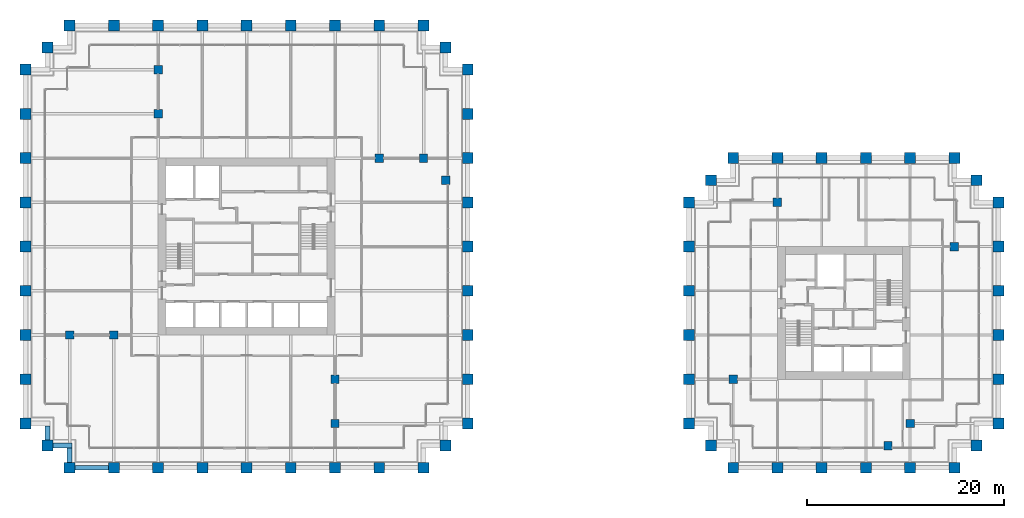
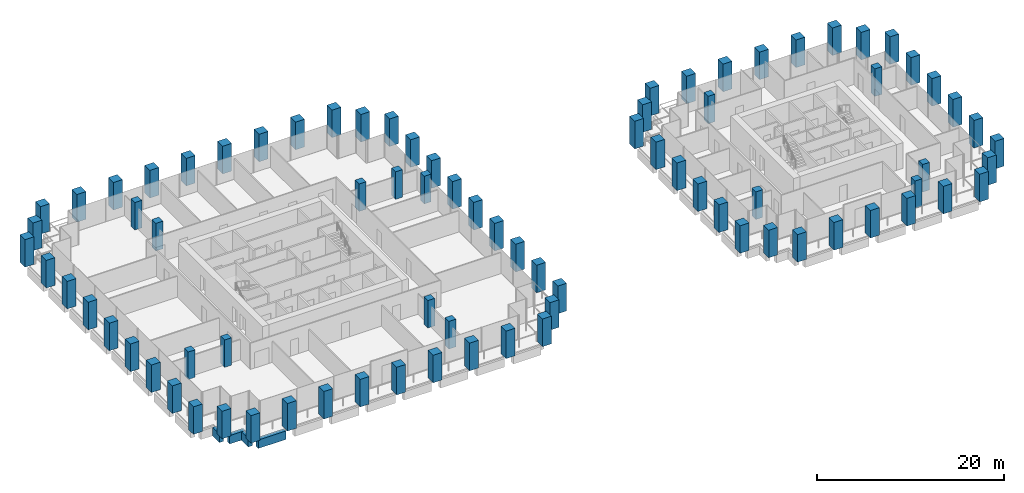
# One storey, part 1 of 56: 82 columns, 4 beams.
"""IFC4 building model written with IfcOpenShell, lengths in metres."""

from ifc_helpers import new_model, si_unit, direction, frame, origin, origin_2d, place, context, subcontext, project, spatial, rectangle, extrude, material, material_profile, profile_set, type_object, element, save


model = new_model("IFC4")

# Units and contexts
model_context = context("Model", 3, precision=1e-05, world=origin(), true_north=direction((0.0, 1.0)))
body_context = subcontext(model_context, "Body", "Model", "MODEL_VIEW")
ifc_project = project(units=[si_unit("LENGTHUNIT", "METRE"), si_unit("AREAUNIT", "SQUARE_METRE"), si_unit("VOLUMEUNIT", "CUBIC_METRE"), si_unit("PLANEANGLEUNIT", "RADIAN"), si_unit("MASSUNIT", "GRAM", prefix="KILO")], contexts=[model_context])

# Site, building, storey
site_placement = place(None, origin())
site = spatial("IfcSite", under=ifc_project, at=site_placement, CompositionType="ELEMENT")
building_placement = place(site_placement, origin())
building = spatial("IfcBuilding", under=site, at=building_placement, Name="Altepetl Exchange Towers", CompositionType="ELEMENT")
storey_placement = place(building_placement, frame((0.0, 0.0, 51.0)))
storey = spatial("IfcBuildingStorey", under=building, at=storey_placement, Name="L11", CompositionType="ELEMENT", Elevation=51.0)

# Columns
ifc_material_1 = material(Name="Concrete C70/85", Category="concrete")
ifc_material_profile_1 = material_profile(ifc_material_1, rectangle(XDim=0.85009765625, YDim=0.85009765625, at=origin_2d()), Name="850 x 850")
ifc_profile_set_1 = profile_set([ifc_material_profile_1], Name="Concrete C70/85")
column_type_1 = type_object("IfcColumnType", Name="Interior column 850", PredefinedType="COLUMN", material=ifc_profile_set_1)
for number, where, name in (
    (1, (31.5, 40.5, 0.0), "col:A:L11:040"),
    (2, (36.0, 40.5, 0.0), "col:A:L11:041"),
    (3, (40.5, 63.0, 0.0), "col:A:L11:042"),
    (4, (40.5, 67.5, 0.0), "col:A:L11:043"),
    (5, (58.5, 31.5, 0.0), "col:A:L11:044"),
    (6, (58.5, 36.0, 0.0), "col:A:L11:045"),
    (7, (63.0, 58.5, 0.0), "col:A:L11:046"),
    (8, (67.5, 58.5, 0.0), "col:A:L11:047"),
    (9, (69.75, 56.25, 0.0), "col:A:L11:048"),
    (10, (99.0, 36.0, 0.0), "col:B:L11:028"),
    (11, (103.5, 54.0, 0.0), "col:B:L11:029"),
    (12, (114.75, 29.25, 0.0), "col:B:L11:030"),
    (13, (117.0, 31.5, 0.0), "col:B:L11:031"),
    (14, (121.5, 49.5, 0.0), "col:B:L11:032"),
):
    element("IfcColumn", number, at=place(storey_placement, frame(where)), inside=storey, type_object=column_type_1, Name=name, PredefinedType="COLUMN", context=body_context, shape_type="SweptSolid", body=[
        extrude(rectangle(XDim=0.85009765625, YDim=0.85009765625, at=origin_2d()), origin(), (0.0, 0.0, 1.0), 3.60009765625),
    ])
ifc_material_2 = material(Name="Concrete C70/85 precast with cantera amarilla facing", Category="concrete")
ifc_material_profile_2 = material_profile(ifc_material_2, rectangle(XDim=1.10009765625, YDim=1.10009765625, at=origin_2d()), Name="1100 x 1100")
ifc_profile_set_2 = profile_set([ifc_material_profile_2], Name="Concrete C70/85 precast with cantera amarilla facing")
column_type_2 = type_object("IfcColumnType", Name="Perimeter column 1100 cantera amarilla", PredefinedType="COLUMN", material=ifc_profile_set_2)
for number, where, name in (
    (15, (58.5, 27.0, 0.0), "col:A:L11:006"),
    (16, (63.0, 27.0, 0.0), "col:A:L11:007"),
    (17, (67.5, 27.0, 0.0), "col:A:L11:008"),
    (18, (69.75, 29.25, 0.0), "col:A:L11:009"),
    (19, (72.0, 31.5, 0.0), "col:A:L11:010"),
    (20, (72.0, 36.0, 0.0), "col:A:L11:011"),
    (21, (72.0, 40.5, 0.0), "col:A:L11:012"),
    (22, (72.0, 45.0, 0.0), "col:A:L11:013"),
    (23, (72.0, 49.5, 0.0), "col:A:L11:014"),
    (24, (72.0, 54.0, 0.0), "col:A:L11:015"),
    (25, (126.0, 49.5, 0.0), "col:B:L11:011"),
    (26, (126.0, 54.0, 0.0), "col:B:L11:012"),
    (27, (123.75, 56.25, 0.0), "col:B:L11:013"),
    (28, (121.5, 58.5, 0.0), "col:B:L11:014"),
    (29, (117.0, 58.5, 0.0), "col:B:L11:015"),
    (30, (112.5, 58.5, 0.0), "col:B:L11:016"),
    (31, (108.0, 58.5, 0.0), "col:B:L11:017"),
):
    element("IfcColumn", number, at=place(storey_placement, frame(where)), inside=storey, type_object=column_type_2, Name=name, PredefinedType="COLUMN", context=body_context, shape_type="SweptSolid", body=[
        extrude(rectangle(XDim=1.10009765625, YDim=1.10009765625, at=origin_2d()), origin(), (0.0, 0.0, 1.0), 3.60009765625),
    ])
ifc_material_3 = material(Name="Concrete C70/85 precast with cantera blanca facing", Category="concrete")
ifc_material_profile_3 = material_profile(ifc_material_3, rectangle(XDim=1.10009765625, YDim=1.10009765625, at=origin_2d()), Name="1100 x 1100")
ifc_profile_set_3 = profile_set([ifc_material_profile_3], Name="Concrete C70/85 precast with cantera blanca facing")
column_type_3 = type_object("IfcColumnType", Name="Perimeter column 1100 cantera blanca", PredefinedType="COLUMN", material=ifc_profile_set_3)
for number, where, name in (
    (32, (31.5, 27.0, 0.0), "col:A:L11:000"),
    (33, (36.0, 27.0, 0.0), "col:A:L11:001"),
    (34, (40.5, 27.0, 0.0), "col:A:L11:002"),
    (35, (45.0, 27.0, 0.0), "col:A:L11:003"),
    (36, (49.5, 27.0, 0.0), "col:A:L11:004"),
    (37, (54.0, 27.0, 0.0), "col:A:L11:005"),
    (38, (27.0, 36.0, 0.0), "col:A:L11:037"),
    (39, (27.0, 31.5, 0.0), "col:A:L11:038"),
    (40, (29.25, 29.25, 0.0), "col:A:L11:039"),
    (41, (117.0, 27.0, 0.0), "col:B:L11:004"),
    (42, (121.5, 27.0, 0.0), "col:B:L11:005"),
    (43, (123.75, 29.25, 0.0), "col:B:L11:006"),
    (44, (126.0, 31.5, 0.0), "col:B:L11:007"),
    (45, (126.0, 36.0, 0.0), "col:B:L11:008"),
    (46, (126.0, 40.5, 0.0), "col:B:L11:009"),
    (47, (126.0, 45.0, 0.0), "col:B:L11:010"),
):
    element("IfcColumn", number, at=place(storey_placement, frame(where)), inside=storey, type_object=column_type_3, Name=name, PredefinedType="COLUMN", context=body_context, shape_type="SweptSolid", body=[
        extrude(rectangle(XDim=1.10009765625, YDim=1.10009765625, at=origin_2d()), origin(), (0.0, 0.0, 1.0), 3.60009765625),
    ])
ifc_material_4 = material(Name="Concrete C70/85 precast with cantera rosa facing", Category="concrete")
ifc_material_profile_4 = material_profile(ifc_material_4, rectangle(XDim=1.10009765625, YDim=1.10009765625, at=origin_2d()), Name="1100 x 1100")
ifc_profile_set_4 = profile_set([ifc_material_profile_4], Name="Concrete C70/85 precast with cantera rosa facing")
column_type_4 = type_object("IfcColumnType", Name="Perimeter column 1100 cantera rosa", PredefinedType="COLUMN", material=ifc_profile_set_4)
for number, where, name in (
    (48, (72.0, 58.5, 0.0), "col:A:L11:016"),
    (49, (72.0, 63.0, 0.0), "col:A:L11:017"),
    (50, (72.0, 67.5, 0.0), "col:A:L11:018"),
    (51, (69.75, 69.75, 0.0), "col:A:L11:019"),
    (52, (67.5, 72.0, 0.0), "col:A:L11:020"),
    (53, (63.0, 72.0, 0.0), "col:A:L11:021"),
    (54, (58.5, 72.0, 0.0), "col:A:L11:022"),
    (55, (54.0, 72.0, 0.0), "col:A:L11:023"),
    (56, (49.5, 72.0, 0.0), "col:A:L11:024"),
    (57, (45.0, 72.0, 0.0), "col:A:L11:025"),
    (58, (103.5, 58.5, 0.0), "col:B:L11:018"),
    (59, (99.0, 58.5, 0.0), "col:B:L11:019"),
    (60, (96.75, 56.25, 0.0), "col:B:L11:020"),
    (61, (94.5, 54.0, 0.0), "col:B:L11:021"),
    (62, (94.5, 49.5, 0.0), "col:B:L11:022"),
    (63, (94.5, 45.0, 0.0), "col:B:L11:023"),
    (64, (94.5, 40.5, 0.0), "col:B:L11:024"),
    (65, (94.5, 36.0, 0.0), "col:B:L11:025"),
):
    element("IfcColumn", number, at=place(storey_placement, frame(where)), inside=storey, type_object=column_type_4, Name=name, PredefinedType="COLUMN", context=body_context, shape_type="SweptSolid", body=[
        extrude(rectangle(XDim=1.10009765625, YDim=1.10009765625, at=origin_2d()), origin(), (0.0, 0.0, 1.0), 3.60009765625),
    ])
ifc_material_5 = material(Name="Concrete C70/85 precast with tezontle facing", Category="concrete")
ifc_material_profile_5 = material_profile(ifc_material_5, rectangle(XDim=1.10009765625, YDim=1.10009765625, at=origin_2d()), Name="1100 x 1100")
ifc_profile_set_5 = profile_set([ifc_material_profile_5], Name="Concrete C70/85 precast with tezontle facing")
column_type_5 = type_object("IfcColumnType", Name="Perimeter column 1100 tezontle", PredefinedType="COLUMN", material=ifc_profile_set_5)
for number, where, name in (
    (66, (40.5, 72.0, 0.0), "col:A:L11:026"),
    (67, (36.0, 72.0, 0.0), "col:A:L11:027"),
    (68, (31.5, 72.0, 0.0), "col:A:L11:028"),
    (69, (29.25, 69.75, 0.0), "col:A:L11:029"),
    (70, (27.0, 67.5, 0.0), "col:A:L11:030"),
    (71, (27.0, 63.0, 0.0), "col:A:L11:031"),
    (72, (27.0, 58.5, 0.0), "col:A:L11:032"),
    (73, (27.0, 54.0, 0.0), "col:A:L11:033"),
    (74, (27.0, 49.5, 0.0), "col:A:L11:034"),
    (75, (27.0, 45.0, 0.0), "col:A:L11:035"),
    (76, (27.0, 40.5, 0.0), "col:A:L11:036"),
    (77, (99.0, 27.0, 0.0), "col:B:L11:000"),
    (78, (103.5, 27.0, 0.0), "col:B:L11:001"),
    (79, (108.0, 27.0, 0.0), "col:B:L11:002"),
    (80, (112.5, 27.0, 0.0), "col:B:L11:003"),
    (81, (94.5, 31.5, 0.0), "col:B:L11:026"),
    (82, (96.75, 29.25, 0.0), "col:B:L11:027"),
):
    element("IfcColumn", number, at=place(storey_placement, frame(where)), inside=storey, type_object=column_type_5, Name=name, PredefinedType="COLUMN", context=body_context, shape_type="SweptSolid", body=[
        extrude(rectangle(XDim=1.10009765625, YDim=1.10009765625, at=origin_2d()), origin(), (0.0, 0.0, 1.0), 3.60009765625),
    ])

# Beams
ifc_material_6 = material(Name="Concrete C50/60 precast with cantera blanca facing", Category="concrete")
ifc_material_profile_6 = material_profile(ifc_material_6, rectangle(XDim=0.5, YDim=1.10009765625, at=origin_2d()), Name="500 x 1100")
ifc_profile_set_6 = profile_set([ifc_material_profile_6], Name="Concrete C50/60 precast with cantera blanca facing")
beam_type = type_object("IfcBeamType", Name="Spandrel beam 500x1100 cantera blanca", PredefinedType="SPANDREL", material=ifc_profile_set_6)
beam_1_placement = place(storey_placement, frame((32.050048828125, 27.0, -0.699951171875), z_axis=(1.0, 0.0, 0.0), x_axis=(0.0, 1.0, 0.0)))
element("IfcBeam", 83, at=beam_1_placement, inside=storey, type_object=beam_type, Name="sp:A:L11:000", PredefinedType="SPANDREL", context=body_context, shape_type="SweptSolid", body=[
    extrude(rectangle(XDim=0.5, YDim=1.10009765625, at=origin_2d()), origin(), (0.0, 0.0, 1.0), 3.39990234375),
])
beam_2_placement = place(storey_placement, frame((29.25, 31.25, -0.699951171875), z_axis=(0.0, -1.0, 0.0), x_axis=(1.0, 0.0, 0.0)))
element("IfcBeam", 84, at=beam_2_placement, inside=storey, type_object=beam_type, Name="sp:A:L11:045", PredefinedType="SPANDREL", context=body_context, shape_type="SweptSolid", body=[
    extrude(rectangle(XDim=0.5, YDim=1.10009765625, at=origin_2d()), origin(), (0.0, 0.0, 1.0), 1.449951171875),
])
beam_3_placement = place(storey_placement, frame((29.800048828125, 29.25, -0.699951171875), z_axis=(1.0, 0.0, 0.0), x_axis=(0.0, 1.0, 0.0)))
element("IfcBeam", 85, at=beam_3_placement, inside=storey, type_object=beam_type, Name="sp:A:L11:046", PredefinedType="SPANDREL", context=body_context, shape_type="SweptSolid", body=[
    extrude(rectangle(XDim=0.5, YDim=1.10009765625, at=origin_2d()), origin(), (0.0, 0.0, 1.0), 1.949951171875),
])
beam_4_placement = place(storey_placement, frame((31.5, 29.0, -0.699951171875), z_axis=(0.0, -1.0, 0.0), x_axis=(1.0, 0.0, 0.0)))
element("IfcBeam", 86, at=beam_4_placement, inside=storey, type_object=beam_type, Name="sp:A:L11:047", PredefinedType="SPANDREL", context=body_context, shape_type="SweptSolid", body=[
    extrude(rectangle(XDim=0.5, YDim=1.10009765625, at=origin_2d()), origin(), (0.0, 0.0, 1.0), 1.449951171875),
])

save(model, "model.ifc")
